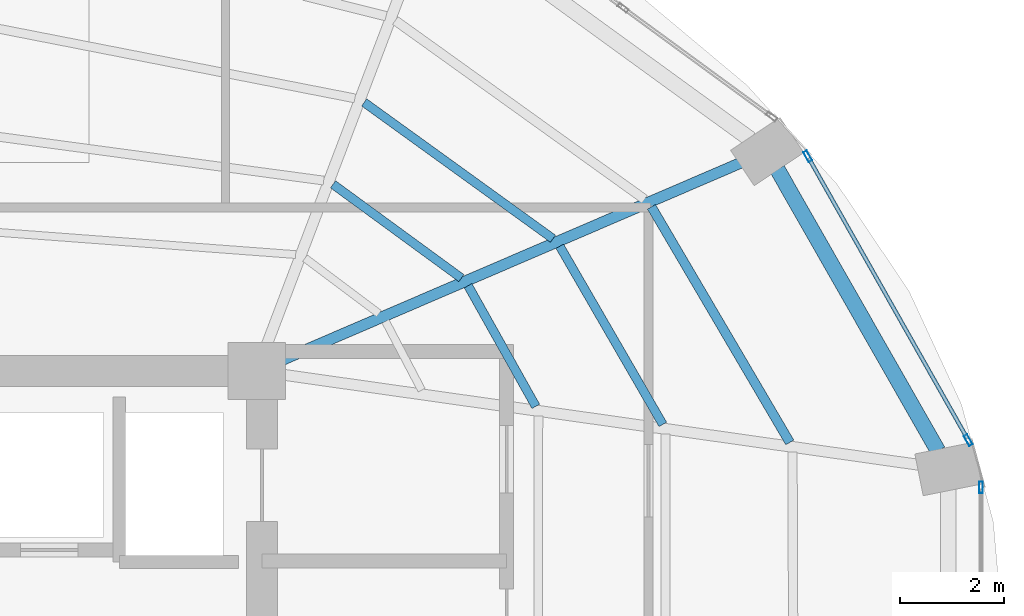
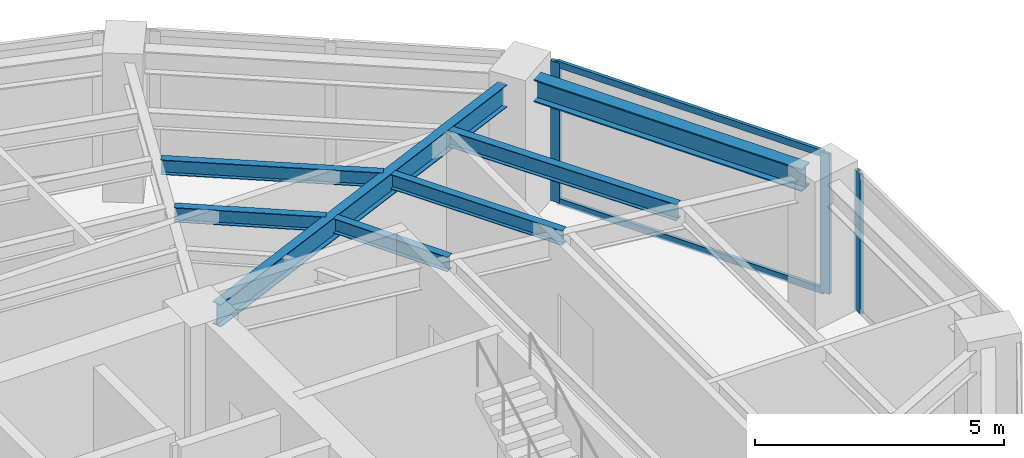
# One storey, part 11 of 20: 7 beams, 5 members, 2 elements without a shape of their own.
"""IFC4 building model written with IfcOpenShell, lengths in metres."""

from ifc_helpers import new_model, si_unit, direction, frame, origin, origin_2d, place, context, subcontext, project, spatial, hollow_rectangle, i_section, extrude, material, layer, layer_set, material_profile, profile_set, type_object, element, aggregate, save


model = new_model("IFC4")

# Units and contexts
model_context = context("Model", 3, precision=1e-05, world=origin(), true_north=direction((0.0, 1.0)))
body_context = subcontext(model_context, "Body", "Model", "MODEL_VIEW")
ifc_project = project(units=[si_unit("LENGTHUNIT", "METRE"), si_unit("AREAUNIT", "SQUARE_METRE"), si_unit("VOLUMEUNIT", "CUBIC_METRE"), si_unit("PLANEANGLEUNIT", "RADIAN"), si_unit("MASSUNIT", "GRAM", prefix="KILO")], contexts=[model_context])

# Site, building, storey
site_placement = place(None, origin())
site = spatial("IfcSite", under=ifc_project, at=site_placement, CompositionType="ELEMENT")
building_placement = place(site_placement, origin())
building = spatial("IfcBuilding", under=site, at=building_placement, Name="Lazwardi Medical Tower", CompositionType="ELEMENT")
storey_placement = place(building_placement, frame((0.0, 0.0, 152.8798828125)))
storey = spatial("IfcBuildingStorey", under=building, at=storey_placement, Name="L39", CompositionType="ELEMENT", Elevation=152.8798828125)

# Beams
ifc_material_1 = material(Name="Steel S355", Category="steel")
ifc_material_profile_1 = material_profile(ifc_material_1, i_section(OverallWidth=0.300048828125, OverallDepth=0.550048828125, WebThickness=0.014892578125, FlangeThickness=0.029052734375, at=origin_2d()), Name="HEB 550")
ifc_profile_set_1 = profile_set([ifc_material_profile_1], Name="Steel S355")
beam_type_1 = type_object("IfcBeamType", Name="BM-RB-Z3", PredefinedType="BEAM", material=ifc_profile_set_1)
beam_1_placement = place(storey_placement, frame((58.727783203125, 34.05908203125, 3.153076171875), z_axis=(-0.495460926326, 0.868630226554, 0.0), x_axis=(-0.868630226554, -0.495460926326, 0.0)))
element("IfcBeam", 1, at=beam_1_placement, inside=storey, type_object=beam_type_1, Name="Ring beam RB-04 B05 L39", PredefinedType="BEAM", context=body_context, shape_type="SweptSolid", body=[
    extrude(i_section(OverallWidth=0.300048828125, OverallDepth=0.550048828125, WebThickness=0.014892578125, FlangeThickness=0.029052734375, at=origin_2d()), origin(), (0.0, 0.0, 1.0), 6.24462890625),
])
ifc_material_profile_2 = material_profile(ifc_material_1, i_section(OverallWidth=0.2099609375, OverallDepth=0.550048828125, WebThickness=0.010986328125, FlangeThickness=0.01708984375, at=origin_2d()), Name="IPE 550")
ifc_profile_set_2 = profile_set([ifc_material_profile_2], Name="Steel S355")
beam_type_2 = type_object("IfcBeamType", Name="BM-RG-W2", PredefinedType="BEAM", material=ifc_profile_set_2)
beam_2_placement = place(storey_placement, frame((54.921142578125, 39.609619140625, 3.153076171875), z_axis=(-0.918608156288, -0.395169653695, 0.0), x_axis=(0.395169653695, -0.918608156288, 0.0)))
element("IfcBeam", 2, at=beam_2_placement, inside=storey, type_object=beam_type_2, Name="Radial girder RG-03 R06 L39", PredefinedType="BEAM", context=body_context, shape_type="SweptSolid", body=[
    extrude(i_section(OverallWidth=0.2099609375, OverallDepth=0.550048828125, WebThickness=0.010986328125, FlangeThickness=0.01708984375, at=origin_2d()), origin(), (0.0, 0.0, 1.0), 9.61181640625),
])
ifc_material_profile_3 = material_profile(ifc_material_1, i_section(OverallWidth=0.179931640625, OverallDepth=0.39990234375, WebThickness=0.008544921875, FlangeThickness=0.013427734375, at=origin_2d()), Name="IPE 400")
ifc_profile_set_3 = profile_set([ifc_material_profile_3], Name="Steel S355")
beam_type_3 = type_object("IfcBeamType", Name="BM-SJ-01", PredefinedType="JOIST", material=ifc_profile_set_3)
beam_3_placement = place(storey_placement, frame((55.872314453125, 34.223388671875, 3.22802734375), z_axis=(-0.506420212881, 0.862286824662, 0.0), x_axis=(-0.862286824662, -0.506420212881, 0.0)))
element("IfcBeam", 3, at=beam_3_placement, inside=storey, type_object=beam_type_3, Name="Secondary joist SJ-01 R1 B05 L39", PredefinedType="JOIST", context=body_context, shape_type="SweptSolid", body=[
    extrude(i_section(OverallWidth=0.179931640625, OverallDepth=0.39990234375, WebThickness=0.008544921875, FlangeThickness=0.013427734375, at=origin_2d()), origin(), (0.0, 0.0, 1.0), 5.265380859375),
])
ifc_material_profile_4 = material_profile(ifc_material_1, i_section(OverallWidth=0.169921875, OverallDepth=0.360107421875, WebThickness=0.008056640625, FlangeThickness=0.0126953125, at=origin_2d()), Name="IPE 360")
ifc_profile_set_4 = profile_set([ifc_material_profile_4], Name="Steel S355")
beam_type_4 = type_object("IfcBeamType", Name="BM-SJ-02", PredefinedType="JOIST", material=ifc_profile_set_4)
beam_4_placement = place(storey_placement, frame((53.4248046875, 34.57080078125, 3.248046875), z_axis=(-0.500640648605, 0.865655209055, 0.0), x_axis=(-0.865655209055, -0.500640648605, 0.0)))
element("IfcBeam", 4, at=beam_4_placement, inside=storey, type_object=beam_type_4, Name="Secondary joist SJ-02 R2 B05 L39", PredefinedType="JOIST", context=body_context, shape_type="SweptSolid", body=[
    extrude(i_section(OverallWidth=0.169921875, OverallDepth=0.360107421875, WebThickness=0.008056640625, FlangeThickness=0.0126953125, at=origin_2d()), origin(), (0.0, 0.0, 1.0), 3.965576171875),
])
beam_5_placement = place(storey_placement, frame((51.30810546875, 38.148681640625, 3.248046875), z_axis=(-0.810738039179, 0.585409114917, 0.0), x_axis=(-0.585409114917, -0.810738039179, 0.0)))
element("IfcBeam", 5, at=beam_5_placement, inside=storey, type_object=beam_type_4, Name="Secondary joist SJ-02 R2 B06 L39", PredefinedType="JOIST", context=body_context, shape_type="SweptSolid", body=[
    extrude(i_section(OverallWidth=0.169921875, OverallDepth=0.360107421875, WebThickness=0.008056640625, FlangeThickness=0.0126953125, at=origin_2d()), origin(), (0.0, 0.0, 1.0), 4.48779296875),
])
beam_6_placement = place(storey_placement, frame((50.977294921875, 34.918212890625, 3.248046875), z_axis=(-0.489408945026, 0.872054404569, 0.0), x_axis=(-0.872054404569, -0.489408945026, 0.0)))
element("IfcBeam", 6, at=beam_6_placement, inside=storey, type_object=beam_type_4, Name="Secondary joist SJ-02 R3 B05 L39", PredefinedType="JOIST", context=body_context, shape_type="SweptSolid", body=[
    extrude(i_section(OverallWidth=0.169921875, OverallDepth=0.360107421875, WebThickness=0.008056640625, FlangeThickness=0.0126953125, at=origin_2d()), origin(), (0.0, 0.0, 1.0), 2.666259765625),
])
beam_7_placement = place(storey_placement, frame((49.54248046875, 37.3896484375, 3.248046875), z_axis=(-0.807285959008, 0.590160470033, 0.0), x_axis=(-0.590160470033, -0.807285959008, 0.0)))
element("IfcBeam", 7, at=beam_7_placement, inside=storey, type_object=beam_type_4, Name="Secondary joist SJ-02 R3 B06 L39", PredefinedType="JOIST", context=body_context, shape_type="SweptSolid", body=[
    extrude(i_section(OverallWidth=0.169921875, OverallDepth=0.360107421875, WebThickness=0.008056640625, FlangeThickness=0.0126953125, at=origin_2d()), origin(), (0.0, 0.0, 1.0), 3.06298828125),
])

# Curtain wall, member
ifc_material_2 = material(Name="Anodised bronze aluminium and solar control glazing", Category="aluminium")
ifc_layer = layer(ifc_material_2, 0.195068359375)
ifc_layer_set = layer_set([ifc_layer], Name="Anodised bronze aluminium and solar control glazing")
curtain_wall_type = type_object("IfcCurtainWallType", Name="CW-SYS-03", PredefinedType="NOTDEFINED", material=ifc_layer_set)
curtain_wall_1_placement = place(storey_placement, origin())
curtain_wall_1 = element("IfcCurtainWall", 8, at=curtain_wall_1_placement, inside=storey, type_object=curtain_wall_type, Name="L39 Unitised bronze curtain wall CW-03", PredefinedType="NOTDEFINED")
ifc_material_3 = material(Name="Anodised bronze aluminium", Category="aluminium")
ifc_material_profile_5 = material_profile(ifc_material_3, hollow_rectangle(XDim=0.074951171875, YDim=0.219970703125, WallThickness=0.00390625, at=origin_2d()), Name="ALU-MULLION 220x75x4")
ifc_profile_set_5 = profile_set([ifc_material_profile_5], Name="Anodised bronze aluminium")
member_type_1 = type_object("IfcMemberType", Name="CW-MUL-01", PredefinedType="MULLION", material=ifc_profile_set_5)
member_1_placement = place(storey_placement, frame((59.5576171875, 33.35791015625, 0.0), z_axis=(0.0, 0.0, 1.0), x_axis=(-1.0, 0.0, 0.0)))
member_1 = element("IfcMember", 9, at=member_1_placement, type_object=member_type_1, Name="CW-03 mullion 2", PredefinedType="MULLION", context=body_context, shape_type="SweptSolid", body=[
    extrude(hollow_rectangle(XDim=0.074951171875, YDim=0.219970703125, WallThickness=0.00390625, at=origin_2d()), origin(), (0.0, 0.0, 1.0), 3.42822265625),
])
aggregate(curtain_wall_1, [member_1])

# Curtain wall, members
curtain_wall_2_placement = place(storey_placement, origin())
curtain_wall_2 = element("IfcCurtainWall", 10, at=curtain_wall_2_placement, inside=storey, type_object=curtain_wall_type, Name="L39 Unitised bronze curtain wall CW-03", PredefinedType="NOTDEFINED")
member_2_placement = place(storey_placement, frame((59.31103515625, 34.267333984375, 0.0), z_axis=(0.0, 0.0, 1.0), x_axis=(-0.870418989303, -0.492311672683, 0.0)))
member_2 = element("IfcMember", 11, at=member_2_placement, type_object=member_type_1, Name="CW-03 mullion 1", PredefinedType="MULLION", context=body_context, shape_type="SweptSolid", body=[
    extrude(hollow_rectangle(XDim=0.074951171875, YDim=0.219970703125, WallThickness=0.00390625, at=origin_2d()), origin(), (0.0, 0.0, 1.0), 3.42822265625),
])
member_3_placement = place(storey_placement, frame((56.217529296875, 39.73681640625, 0.0), z_axis=(0.0, 0.0, 1.0), x_axis=(-0.870418989303, -0.492311672683, 0.0)))
member_3 = element("IfcMember", 12, at=member_3_placement, type_object=member_type_1, Name="CW-03 mullion 2", PredefinedType="MULLION", context=body_context, shape_type="SweptSolid", body=[
    extrude(hollow_rectangle(XDim=0.074951171875, YDim=0.219970703125, WallThickness=0.00390625, at=origin_2d()), origin(), (0.0, 0.0, 1.0), 3.42822265625),
])
ifc_material_profile_6 = material_profile(ifc_material_3, hollow_rectangle(XDim=0.074951171875, YDim=0.159912109375, WallThickness=0.00390625, at=origin_2d()), Name="ALU-TRANSOM 160x75x4")
ifc_profile_set_6 = profile_set([ifc_material_profile_6], Name="Anodised bronze aluminium")
member_type_2 = type_object("IfcMemberType", Name="CW-TRN-01", PredefinedType="USERDEFINED", material=ifc_profile_set_6)
member_4_placement = place(storey_placement, frame((59.292724609375, 34.2998046875, 0.03759765625), z_axis=(-0.492306010269, 0.870422191958, 0.0), x_axis=(-0.870422191958, -0.492306010269, 0.0)))
member_4 = element("IfcMember", 13, at=member_4_placement, type_object=member_type_2, Name="CW-03 transom 1.1", ObjectType="TRANSOM", PredefinedType="USERDEFINED", context=body_context, shape_type="SweptSolid", body=[
    extrude(hollow_rectangle(XDim=0.074951171875, YDim=0.159912109375, WallThickness=0.00390625, at=origin_2d()), origin(), (0.0, 0.0, 1.0), 6.208740234375),
])
member_5_placement = place(storey_placement, frame((59.292724609375, 34.2998046875, 3.390625), z_axis=(-0.492306010269, 0.870422191958, 0.0), x_axis=(-0.870422191958, -0.492306010269, 0.0)))
member_5 = element("IfcMember", 14, at=member_5_placement, type_object=member_type_2, Name="CW-03 transom 1.2", ObjectType="TRANSOM", PredefinedType="USERDEFINED", context=body_context, shape_type="SweptSolid", body=[
    extrude(hollow_rectangle(XDim=0.074951171875, YDim=0.159912109375, WallThickness=0.00390625, at=origin_2d()), origin(), (0.0, 0.0, 1.0), 6.208740234375),
])
aggregate(curtain_wall_2, [member_2, member_3, member_4, member_5])

save(model, "model.ifc")
